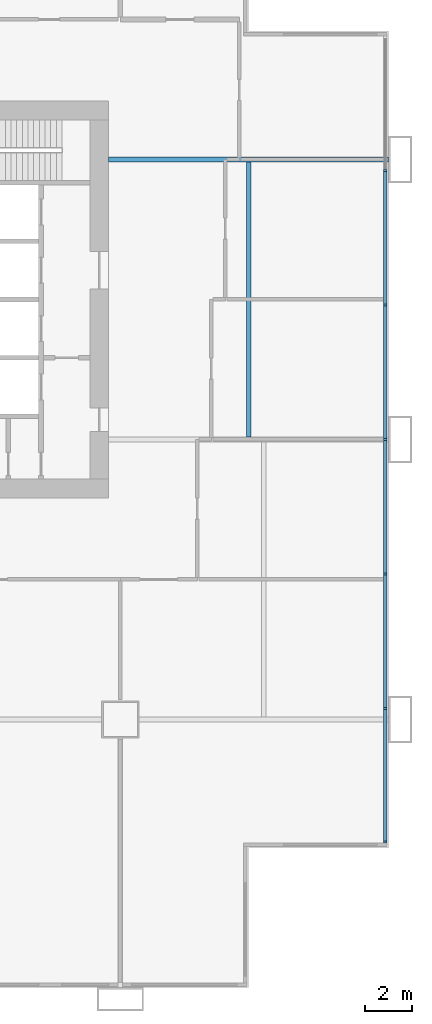
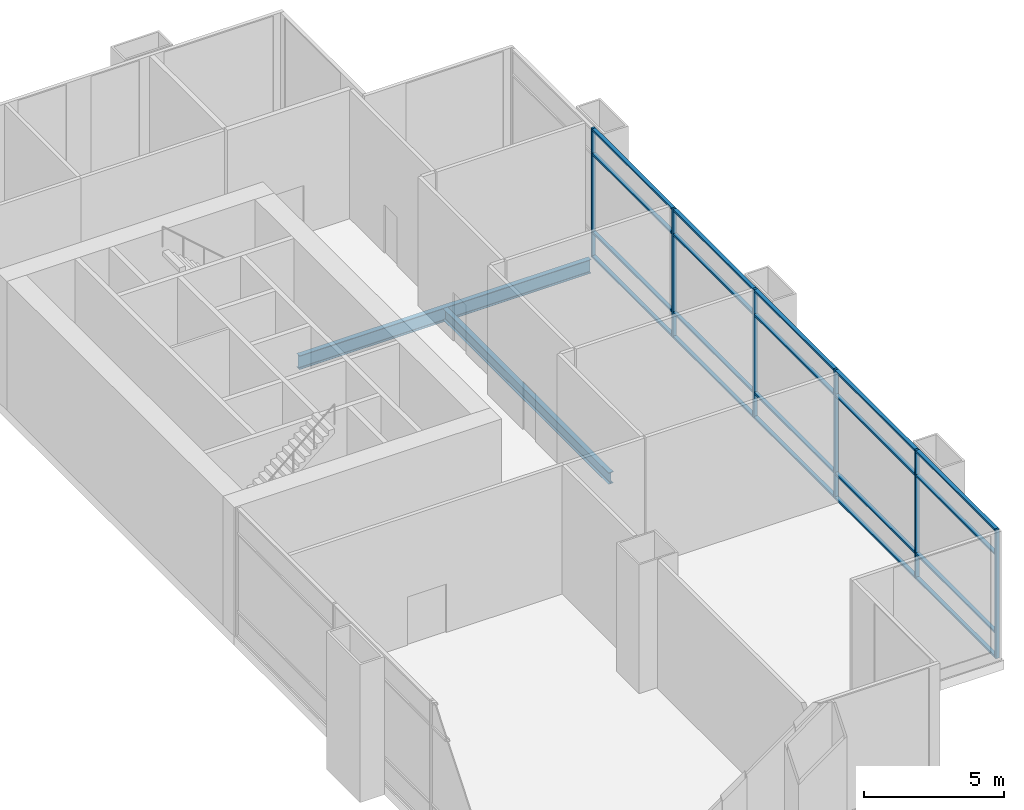
# One storey, part 11 of 25: 26 members, 2 beams, 1 element without a shape of its own.
"""IFC4 building model written with IfcOpenShell, lengths in metres."""

from ifc_helpers import new_model, si_unit, direction, frame, origin, origin_2d, place, context, subcontext, project, spatial, rectangle, i_section, extrude, material, material_profile, profile_set, type_object, element, aggregate, save


model = new_model("IFC4")

# Units and contexts
model_context = context("Model", 3, precision=1e-05, world=origin(), true_north=direction((0.0, 1.0)))
body_context = subcontext(model_context, "Body", "Model", "MODEL_VIEW")
ifc_project = project(units=[si_unit("LENGTHUNIT", "METRE"), si_unit("AREAUNIT", "SQUARE_METRE"), si_unit("VOLUMEUNIT", "CUBIC_METRE"), si_unit("PLANEANGLEUNIT", "RADIAN"), si_unit("MASSUNIT", "GRAM", prefix="KILO")], contexts=[model_context])

# Site, building, storey
site_placement = place(None, origin())
site = spatial("IfcSite", under=ifc_project, at=site_placement, CompositionType="ELEMENT")
building_placement = place(site_placement, origin())
building = spatial("IfcBuilding", under=site, at=building_placement, Name="Kitamizu Gate Tower and Museum", CompositionType="ELEMENT")
storey_placement = place(building_placement, frame((0.0, 0.0, 18.0)))
storey = spatial("IfcBuildingStorey", under=building, at=storey_placement, Name="L03", CompositionType="ELEMENT", Elevation=18.0)

# Beams
ifc_material_1 = material(Name="Steel SM490A", Category="steel")
ifc_material_profile_1 = material_profile(ifc_material_1, i_section(OverallWidth=0.199951171875, OverallDepth=0.5, WebThickness=0.010009765625, FlangeThickness=0.01611328125, FilletRadius=0.02001953125, at=origin_2d()), Name="H-500x200x10x16")
ifc_profile_set_1 = profile_set([ifc_material_profile_1], Name="Steel SM490A")
beam_type_1 = type_object("IfcBeamType", Name="Floor beam FB1 H 500x200x10x16", PredefinedType="BEAM", material=ifc_profile_set_1)
beam_1_placement = place(storey_placement, frame((65.5, 24.10009765625, -0.64990234375), z_axis=(0.0, 1.0, 0.0), x_axis=(-1.0, 0.0, 0.0)))
element("IfcBeam", 1, at=beam_1_placement, inside=storey, type_object=beam_type_1, Name="Floor beam FB1 L03-4", PredefinedType="BEAM", context=body_context, shape_type="SweptSolid", body=[
    extrude(i_section(OverallWidth=0.199951171875, OverallDepth=0.5, WebThickness=0.010009765625, FlangeThickness=0.01611328125, FilletRadius=0.02001953125, at=origin_2d()), origin(), (0.0, 0.0, 1.0), 11.7998046875),
])
ifc_material_2 = material(Name="Steel SM490A", Category="steel")
ifc_material_profile_2 = material_profile(ifc_material_2, i_section(OverallWidth=0.199951171875, OverallDepth=0.60009765625, WebThickness=0.010986328125, FlangeThickness=0.01708984375, FilletRadius=0.02197265625, at=origin_2d()), Name="H-600x200x11x17")
ifc_profile_set_2 = profile_set([ifc_material_profile_2], Name="Steel SM490A")
beam_type_2 = type_object("IfcBeamType", Name="Floor girder FG1 H 600x200x11x17", PredefinedType="BEAM", material=ifc_profile_set_2)
beam_2_placement = place(storey_placement, frame((59.5, 36.0, -0.699951171875), z_axis=(1.0, 0.0, 0.0), x_axis=(0.0, 1.0, 0.0)))
element("IfcBeam", 2, at=beam_2_placement, inside=storey, type_object=beam_type_2, Name="Floor girder FG1 y36 L03", PredefinedType="BEAM", context=body_context, shape_type="SweptSolid", body=[
    extrude(i_section(OverallWidth=0.199951171875, OverallDepth=0.60009765625, WebThickness=0.010986328125, FlangeThickness=0.01708984375, FilletRadius=0.02197265625, at=origin_2d()), origin(), (0.0, 0.0, 1.0), 12.0),
])

# Curtain wall, members
ifc_material_3 = material(Name="Bronze anodised aluminium frame, tinted triple glazing", Category="aluminium")
curtain_wall_type = type_object("IfcCurtainWallType", Name="CURTAIN WALL TYPE A PODIUM", PredefinedType="NOTDEFINED", material=ifc_material_3)
curtain_wall_placement = place(storey_placement, origin())
curtain_wall = element("IfcCurtainWall", 3, at=curtain_wall_placement, inside=storey, type_object=curtain_wall_type, Name="Curtain wall CW-A east L03", PredefinedType="NOTDEFINED")
ifc_material_4 = material(Name="Bronze anodised aluminium", Category="aluminium")
ifc_material_profile_3 = material_profile(ifc_material_4, rectangle(XDim=0.090087890625, YDim=0.14990234375, at=origin_2d()), Name="AL 90X150")
ifc_profile_set_3 = profile_set([ifc_material_profile_3], Name="Bronze anodised aluminium")
member_type_1 = type_object("IfcMemberType", Name="MULLION 90 X 150 TYPE A", PredefinedType="MULLION", material=ifc_profile_set_3)
member_1_placement = place(storey_placement, frame((71.364990234375, 6.7548828125, 0.0), z_axis=(0.0, 0.0, 1.0), x_axis=(0.0, 1.0, 0.0)))
member_1 = element("IfcMember", 4, at=member_1_placement, type_object=member_type_1, Name="CW-A mullion 1", PredefinedType="MULLION", context=body_context, shape_type="SweptSolid", body=[
    extrude(rectangle(XDim=0.090087890625, YDim=0.14990234375, at=origin_2d()), origin(), (0.0, 0.0, 1.0), 5.60009765625),
])
member_2_placement = place(storey_placement, frame((71.364990234375, 12.473388671875, 0.0), z_axis=(0.0, 0.0, 1.0), x_axis=(0.0, 1.0, 0.0)))
member_2 = element("IfcMember", 5, at=member_2_placement, type_object=member_type_1, Name="CW-A mullion 2", PredefinedType="MULLION", context=body_context, shape_type="SweptSolid", body=[
    extrude(rectangle(XDim=0.090087890625, YDim=0.14990234375, at=origin_2d()), origin(), (0.0, 0.0, 1.0), 5.60009765625),
])
member_3_placement = place(storey_placement, frame((71.364990234375, 18.236572265625, 0.0), z_axis=(0.0, 0.0, 1.0), x_axis=(0.0, 1.0, 0.0)))
member_3 = element("IfcMember", 6, at=member_3_placement, type_object=member_type_1, Name="CW-A mullion 3", PredefinedType="MULLION", context=body_context, shape_type="SweptSolid", body=[
    extrude(rectangle(XDim=0.090087890625, YDim=0.14990234375, at=origin_2d()), origin(), (0.0, 0.0, 1.0), 5.60009765625),
])
member_4_placement = place(storey_placement, frame((71.364990234375, 24.0, 0.0), z_axis=(0.0, 0.0, 1.0), x_axis=(0.0, 1.0, 0.0)))
member_4 = element("IfcMember", 7, at=member_4_placement, type_object=member_type_1, Name="CW-A mullion 4", PredefinedType="MULLION", context=body_context, shape_type="SweptSolid", body=[
    extrude(rectangle(XDim=0.090087890625, YDim=0.14990234375, at=origin_2d()), origin(), (0.0, 0.0, 1.0), 5.60009765625),
])
member_5_placement = place(storey_placement, frame((71.364990234375, 29.763427734375, 0.0), z_axis=(0.0, 0.0, 1.0), x_axis=(0.0, 1.0, 0.0)))
member_5 = element("IfcMember", 8, at=member_5_placement, type_object=member_type_1, Name="CW-A mullion 5", PredefinedType="MULLION", context=body_context, shape_type="SweptSolid", body=[
    extrude(rectangle(XDim=0.090087890625, YDim=0.14990234375, at=origin_2d()), origin(), (0.0, 0.0, 1.0), 5.60009765625),
])
member_6_placement = place(storey_placement, frame((71.364990234375, 35.526611328125, 0.0), z_axis=(0.0, 0.0, 1.0), x_axis=(0.0, 1.0, 0.0)))
member_6 = element("IfcMember", 9, at=member_6_placement, type_object=member_type_1, Name="CW-A mullion 6", PredefinedType="MULLION", context=body_context, shape_type="SweptSolid", body=[
    extrude(rectangle(XDim=0.090087890625, YDim=0.14990234375, at=origin_2d()), origin(), (0.0, 0.0, 1.0), 5.60009765625),
])
ifc_material_5 = material(Name="Bronze anodised aluminium", Category="aluminium")
ifc_material_profile_4 = material_profile(ifc_material_5, rectangle(XDim=0.14990234375, YDim=0.080078125, at=origin_2d()), Name="AL 80X150")
ifc_profile_set_4 = profile_set([ifc_material_profile_4], Name="Bronze anodised aluminium")
member_type_2 = type_object("IfcMemberType", Name="TRANSOM 80 X 150 TYPE A", PredefinedType="USERDEFINED", material=ifc_profile_set_4)
member_7_placement = place(storey_placement, frame((71.364990234375, 6.800048828125, 0.0400390625), z_axis=(0.0, 1.0, 0.0), x_axis=(-1.0, 0.0, 0.0)))
member_7 = element("IfcMember", 10, at=member_7_placement, type_object=member_type_2, Name="CW-A transom 1.1", ObjectType="TRANSOM", PredefinedType="USERDEFINED", context=body_context, shape_type="SweptSolid", body=[
    extrude(rectangle(XDim=0.14990234375, YDim=0.080078125, at=origin_2d()), origin(), (0.0, 0.0, 1.0), 5.628173828125),
])
member_8_placement = place(storey_placement, frame((71.364990234375, 6.800048828125, 1.10009765625), z_axis=(0.0, 1.0, 0.0), x_axis=(-1.0, 0.0, 0.0)))
member_8 = element("IfcMember", 11, at=member_8_placement, type_object=member_type_2, Name="CW-A transom 1.2", ObjectType="TRANSOM", PredefinedType="USERDEFINED", context=body_context, shape_type="SweptSolid", body=[
    extrude(rectangle(XDim=0.14990234375, YDim=0.080078125, at=origin_2d()), origin(), (0.0, 0.0, 1.0), 5.628173828125),
])
member_9_placement = place(storey_placement, frame((71.364990234375, 6.800048828125, 4.5), z_axis=(0.0, 1.0, 0.0), x_axis=(-1.0, 0.0, 0.0)))
member_9 = element("IfcMember", 12, at=member_9_placement, type_object=member_type_2, Name="CW-A transom 1.3", ObjectType="TRANSOM", PredefinedType="USERDEFINED", context=body_context, shape_type="SweptSolid", body=[
    extrude(rectangle(XDim=0.14990234375, YDim=0.080078125, at=origin_2d()), origin(), (0.0, 0.0, 1.0), 5.628173828125),
])
member_10_placement = place(storey_placement, frame((71.364990234375, 6.800048828125, 5.56005859375), z_axis=(0.0, 1.0, 0.0), x_axis=(-1.0, 0.0, 0.0)))
member_10 = element("IfcMember", 13, at=member_10_placement, type_object=member_type_2, Name="CW-A transom 1.4", ObjectType="TRANSOM", PredefinedType="USERDEFINED", context=body_context, shape_type="SweptSolid", body=[
    extrude(rectangle(XDim=0.14990234375, YDim=0.080078125, at=origin_2d()), origin(), (0.0, 0.0, 1.0), 5.628173828125),
])
member_11_placement = place(storey_placement, frame((71.364990234375, 12.518310546875, 0.0400390625), z_axis=(0.0, 1.0, 0.0), x_axis=(-1.0, 0.0, 0.0)))
member_11 = element("IfcMember", 14, at=member_11_placement, type_object=member_type_2, Name="CW-A transom 2.1", ObjectType="TRANSOM", PredefinedType="USERDEFINED", context=body_context, shape_type="SweptSolid", body=[
    extrude(rectangle(XDim=0.14990234375, YDim=0.080078125, at=origin_2d()), origin(), (0.0, 0.0, 1.0), 5.67333984375),
])
member_12_placement = place(storey_placement, frame((71.364990234375, 12.518310546875, 1.10009765625), z_axis=(0.0, 1.0, 0.0), x_axis=(-1.0, 0.0, 0.0)))
member_12 = element("IfcMember", 15, at=member_12_placement, type_object=member_type_2, Name="CW-A transom 2.2", ObjectType="TRANSOM", PredefinedType="USERDEFINED", context=body_context, shape_type="SweptSolid", body=[
    extrude(rectangle(XDim=0.14990234375, YDim=0.080078125, at=origin_2d()), origin(), (0.0, 0.0, 1.0), 5.67333984375),
])
member_13_placement = place(storey_placement, frame((71.364990234375, 12.518310546875, 4.5), z_axis=(0.0, 1.0, 0.0), x_axis=(-1.0, 0.0, 0.0)))
member_13 = element("IfcMember", 16, at=member_13_placement, type_object=member_type_2, Name="CW-A transom 2.3", ObjectType="TRANSOM", PredefinedType="USERDEFINED", context=body_context, shape_type="SweptSolid", body=[
    extrude(rectangle(XDim=0.14990234375, YDim=0.080078125, at=origin_2d()), origin(), (0.0, 0.0, 1.0), 5.67333984375),
])
member_14_placement = place(storey_placement, frame((71.364990234375, 12.518310546875, 5.56005859375), z_axis=(0.0, 1.0, 0.0), x_axis=(-1.0, 0.0, 0.0)))
member_14 = element("IfcMember", 17, at=member_14_placement, type_object=member_type_2, Name="CW-A transom 2.4", ObjectType="TRANSOM", PredefinedType="USERDEFINED", context=body_context, shape_type="SweptSolid", body=[
    extrude(rectangle(XDim=0.14990234375, YDim=0.080078125, at=origin_2d()), origin(), (0.0, 0.0, 1.0), 5.67333984375),
])
member_15_placement = place(storey_placement, frame((71.364990234375, 18.28173828125, 0.0400390625), z_axis=(0.0, 1.0, 0.0), x_axis=(-1.0, 0.0, 0.0)))
member_15 = element("IfcMember", 18, at=member_15_placement, type_object=member_type_2, Name="CW-A transom 3.1", ObjectType="TRANSOM", PredefinedType="USERDEFINED", context=body_context, shape_type="SweptSolid", body=[
    extrude(rectangle(XDim=0.14990234375, YDim=0.080078125, at=origin_2d()), origin(), (0.0, 0.0, 1.0), 5.67333984375),
])
member_16_placement = place(storey_placement, frame((71.364990234375, 18.28173828125, 1.10009765625), z_axis=(0.0, 1.0, 0.0), x_axis=(-1.0, 0.0, 0.0)))
member_16 = element("IfcMember", 19, at=member_16_placement, type_object=member_type_2, Name="CW-A transom 3.2", ObjectType="TRANSOM", PredefinedType="USERDEFINED", context=body_context, shape_type="SweptSolid", body=[
    extrude(rectangle(XDim=0.14990234375, YDim=0.080078125, at=origin_2d()), origin(), (0.0, 0.0, 1.0), 5.67333984375),
])
member_17_placement = place(storey_placement, frame((71.364990234375, 18.28173828125, 4.5), z_axis=(0.0, 1.0, 0.0), x_axis=(-1.0, 0.0, 0.0)))
member_17 = element("IfcMember", 20, at=member_17_placement, type_object=member_type_2, Name="CW-A transom 3.3", ObjectType="TRANSOM", PredefinedType="USERDEFINED", context=body_context, shape_type="SweptSolid", body=[
    extrude(rectangle(XDim=0.14990234375, YDim=0.080078125, at=origin_2d()), origin(), (0.0, 0.0, 1.0), 5.67333984375),
])
member_18_placement = place(storey_placement, frame((71.364990234375, 18.28173828125, 5.56005859375), z_axis=(0.0, 1.0, 0.0), x_axis=(-1.0, 0.0, 0.0)))
member_18 = element("IfcMember", 21, at=member_18_placement, type_object=member_type_2, Name="CW-A transom 3.4", ObjectType="TRANSOM", PredefinedType="USERDEFINED", context=body_context, shape_type="SweptSolid", body=[
    extrude(rectangle(XDim=0.14990234375, YDim=0.080078125, at=origin_2d()), origin(), (0.0, 0.0, 1.0), 5.67333984375),
])
member_19_placement = place(storey_placement, frame((71.364990234375, 24.044921875, 0.0400390625), z_axis=(0.0, 1.0, 0.0), x_axis=(-1.0, 0.0, 0.0)))
member_19 = element("IfcMember", 22, at=member_19_placement, type_object=member_type_2, Name="CW-A transom 4.1", ObjectType="TRANSOM", PredefinedType="USERDEFINED", context=body_context, shape_type="SweptSolid", body=[
    extrude(rectangle(XDim=0.14990234375, YDim=0.080078125, at=origin_2d()), origin(), (0.0, 0.0, 1.0), 5.67333984375),
])
member_20_placement = place(storey_placement, frame((71.364990234375, 24.044921875, 1.10009765625), z_axis=(0.0, 1.0, 0.0), x_axis=(-1.0, 0.0, 0.0)))
member_20 = element("IfcMember", 23, at=member_20_placement, type_object=member_type_2, Name="CW-A transom 4.2", ObjectType="TRANSOM", PredefinedType="USERDEFINED", context=body_context, shape_type="SweptSolid", body=[
    extrude(rectangle(XDim=0.14990234375, YDim=0.080078125, at=origin_2d()), origin(), (0.0, 0.0, 1.0), 5.67333984375),
])
member_21_placement = place(storey_placement, frame((71.364990234375, 24.044921875, 4.5), z_axis=(0.0, 1.0, 0.0), x_axis=(-1.0, 0.0, 0.0)))
member_21 = element("IfcMember", 24, at=member_21_placement, type_object=member_type_2, Name="CW-A transom 4.3", ObjectType="TRANSOM", PredefinedType="USERDEFINED", context=body_context, shape_type="SweptSolid", body=[
    extrude(rectangle(XDim=0.14990234375, YDim=0.080078125, at=origin_2d()), origin(), (0.0, 0.0, 1.0), 5.67333984375),
])
member_22_placement = place(storey_placement, frame((71.364990234375, 24.044921875, 5.56005859375), z_axis=(0.0, 1.0, 0.0), x_axis=(-1.0, 0.0, 0.0)))
member_22 = element("IfcMember", 25, at=member_22_placement, type_object=member_type_2, Name="CW-A transom 4.4", ObjectType="TRANSOM", PredefinedType="USERDEFINED", context=body_context, shape_type="SweptSolid", body=[
    extrude(rectangle(XDim=0.14990234375, YDim=0.080078125, at=origin_2d()), origin(), (0.0, 0.0, 1.0), 5.67333984375),
])
member_23_placement = place(storey_placement, frame((71.364990234375, 29.808349609375, 0.0400390625), z_axis=(0.0, 1.0, 0.0), x_axis=(-1.0, 0.0, 0.0)))
member_23 = element("IfcMember", 26, at=member_23_placement, type_object=member_type_2, Name="CW-A transom 5.1", ObjectType="TRANSOM", PredefinedType="USERDEFINED", context=body_context, shape_type="SweptSolid", body=[
    extrude(rectangle(XDim=0.14990234375, YDim=0.080078125, at=origin_2d()), origin(), (0.0, 0.0, 1.0), 5.67333984375),
])
member_24_placement = place(storey_placement, frame((71.364990234375, 29.808349609375, 1.10009765625), z_axis=(0.0, 1.0, 0.0), x_axis=(-1.0, 0.0, 0.0)))
member_24 = element("IfcMember", 27, at=member_24_placement, type_object=member_type_2, Name="CW-A transom 5.2", ObjectType="TRANSOM", PredefinedType="USERDEFINED", context=body_context, shape_type="SweptSolid", body=[
    extrude(rectangle(XDim=0.14990234375, YDim=0.080078125, at=origin_2d()), origin(), (0.0, 0.0, 1.0), 5.67333984375),
])
member_25_placement = place(storey_placement, frame((71.364990234375, 29.808349609375, 4.5), z_axis=(0.0, 1.0, 0.0), x_axis=(-1.0, 0.0, 0.0)))
member_25 = element("IfcMember", 28, at=member_25_placement, type_object=member_type_2, Name="CW-A transom 5.3", ObjectType="TRANSOM", PredefinedType="USERDEFINED", context=body_context, shape_type="SweptSolid", body=[
    extrude(rectangle(XDim=0.14990234375, YDim=0.080078125, at=origin_2d()), origin(), (0.0, 0.0, 1.0), 5.67333984375),
])
member_26_placement = place(storey_placement, frame((71.364990234375, 29.808349609375, 5.56005859375), z_axis=(0.0, 1.0, 0.0), x_axis=(-1.0, 0.0, 0.0)))
member_26 = element("IfcMember", 29, at=member_26_placement, type_object=member_type_2, Name="CW-A transom 5.4", ObjectType="TRANSOM", PredefinedType="USERDEFINED", context=body_context, shape_type="SweptSolid", body=[
    extrude(rectangle(XDim=0.14990234375, YDim=0.080078125, at=origin_2d()), origin(), (0.0, 0.0, 1.0), 5.67333984375),
])
aggregate(curtain_wall, [member_1, member_2, member_3, member_4, member_5, member_6, member_7, member_8, member_9, member_10, member_11, member_12, member_13, member_14, member_15, member_16, member_17, member_18, member_19, member_20, member_21, member_22, member_23, member_24, member_25, member_26])

save(model, "model.ifc")
